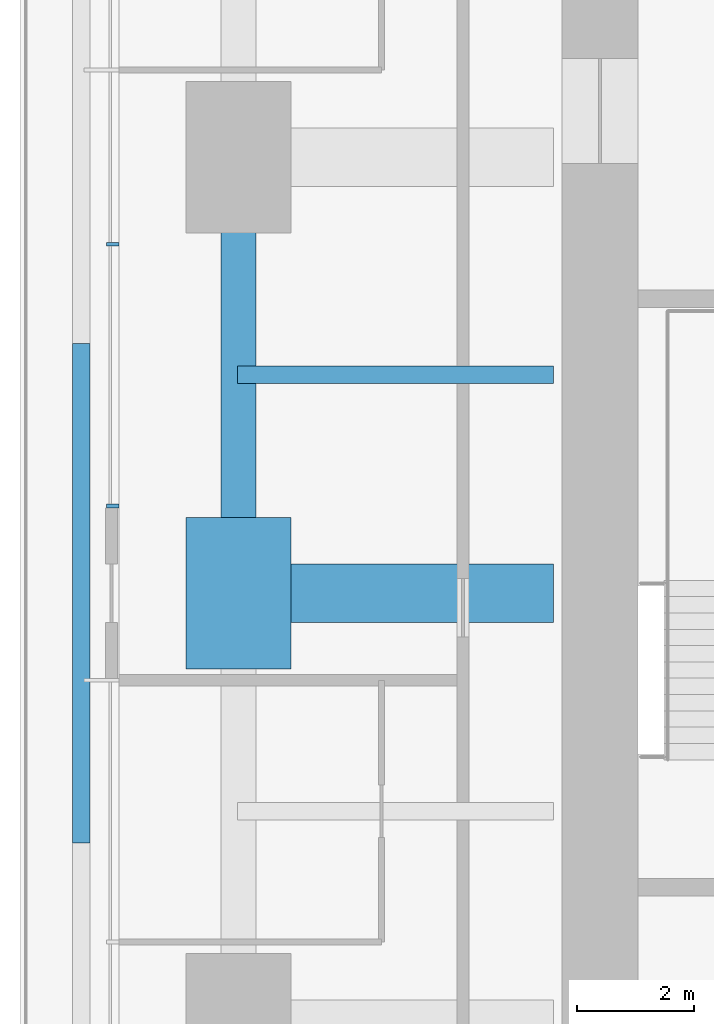
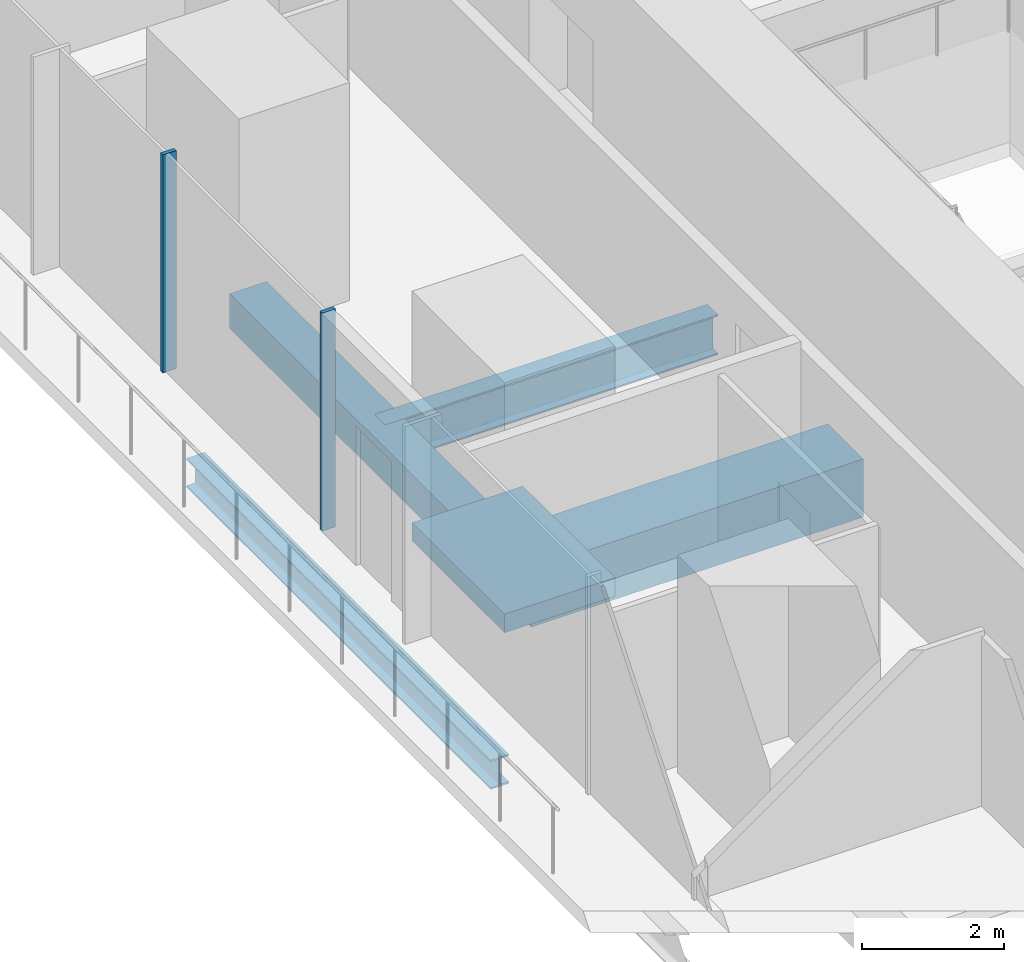
# One storey, part 3 of 15: 5 members, 2 beams, 1 element without a shape of its own.
"""IFC4 building model written with IfcOpenShell, lengths in metres."""

from ifc_helpers import new_model, si_unit, direction, frame, origin, origin_2d, place, context, subcontext, project, spatial, rectangle, hollow_rectangle, i_section, extrude, material, material_profile, profile_set, type_object, element, aggregate, save


model = new_model("IFC4")

# Units and contexts
model_context = context("Model", 3, precision=1e-05, world=origin(), true_north=direction((0.0, 1.0)))
body_context = subcontext(model_context, "Body", "Model", "MODEL_VIEW")
ifc_project = project(units=[si_unit("LENGTHUNIT", "METRE"), si_unit("AREAUNIT", "SQUARE_METRE"), si_unit("VOLUMEUNIT", "CUBIC_METRE"), si_unit("PLANEANGLEUNIT", "RADIAN"), si_unit("MASSUNIT", "GRAM", prefix="KILO")], contexts=[model_context])

# Site, building, storey
site_placement = place(None, origin())
site = spatial("IfcSite", under=ifc_project, at=site_placement, CompositionType="ELEMENT")
building_placement = place(site_placement, origin())
building = spatial("IfcBuilding", under=site, at=building_placement, Name="Khuree Lantern Residences", CompositionType="ELEMENT")
storey_placement = place(building_placement, frame((0.0, 0.0, 285.75)))
storey = spatial("IfcBuildingStorey", under=building, at=storey_placement, Name="L71", CompositionType="ELEMENT", Elevation=285.75)

# Beam
ifc_material_1 = material(Name="Steel S355", Category="steel")
ifc_material_profile_1 = material_profile(ifc_material_1, i_section(OverallWidth=0.300048828125, OverallDepth=0.68994140625, WebThickness=0.014404296875, FlangeThickness=0.027099609375, FilletRadius=0.027099609375, at=origin_2d()), Name="HE 700 A")
ifc_profile_set_1 = profile_set([ifc_material_profile_1], Name="Steel S355")
beam_type_1 = type_object("IfcBeamType", Name="B-41 SECONDARY BEAM HE 700 A", PredefinedType="BEAM", material=ifc_profile_set_1)
beam_1_placement = place(storey_placement, frame((-21.716064453125, 3.742431640625, -0.594970703125), z_axis=(1.0, 0.0, 0.0), x_axis=(0.0, 1.0, 0.0)))
element("IfcBeam", 1, at=beam_1_placement, inside=storey, type_object=beam_type_1, Name="Secondary beam W4", PredefinedType="BEAM", context=body_context, shape_type="SweptSolid", body=[
    extrude(i_section(OverallWidth=0.300048828125, OverallDepth=0.68994140625, WebThickness=0.014404296875, FlangeThickness=0.027099609375, FilletRadius=0.027099609375, at=origin_2d()), origin(), (0.0, 0.0, 1.0), 5.416015625),
])

# Member
ifc_material_profile_2 = material_profile(ifc_material_1, hollow_rectangle(XDim=0.60009765625, YDim=0.60009765625, WallThickness=0.050048828125, at=origin_2d()), Name="WELDED BOX 600X600X50")
ifc_profile_set_2 = profile_set([ifc_material_profile_2], Name="Steel S355")
member_type_1 = type_object("IfcMemberType", Name="BT-71 BELT TRUSS CHORD WELDED BOX 600X600X50", PredefinedType="CHORD", material=ifc_profile_set_2)
member_1_placement = place(storey_placement, frame((-21.699951171875, 0.0, -0.550048828125), z_axis=(0.0, 1.0, 0.0), x_axis=(-1.0, 0.0, 0.0)))
element("IfcMember", 2, at=member_1_placement, inside=storey, type_object=member_type_1, Name="Belt truss chord W4", PredefinedType="CHORD", context=body_context, shape_type="SweptSolid", body=[
    extrude(hollow_rectangle(XDim=0.60009765625, YDim=0.60009765625, WallThickness=0.050048828125, at=origin_2d()), origin(), (0.0, 0.0, 1.0), 7.47998046875),
])

# Curtain wall, members
ifc_material_2 = material(Name="Bronze anodised aluminium", Category="aluminium")
curtain_wall_type = type_object("IfcCurtainWallType", Name="CW-T1 TOWER FACE CURTAIN WALL", PredefinedType="USERDEFINED", material=ifc_material_2)
curtain_wall_placement = place(storey_placement, origin())
curtain_wall = element("IfcCurtainWall", 3, at=curtain_wall_placement, inside=storey, type_object=curtain_wall_type, Name="L71 WEST FACE CURTAIN WALL", ObjectType="Stick-built curtain wall", PredefinedType="USERDEFINED")
ifc_material_profile_3 = material_profile(ifc_material_2, rectangle(XDim=0.06494140625, YDim=0.219970703125, at=origin_2d()), Name="M1 65X220")
ifc_profile_set_3 = profile_set([ifc_material_profile_3], Name="Bronze anodised aluminium")
member_type_2 = type_object("IfcMemberType", Name="M1 BRONZE MULLION TOWER 65X220", PredefinedType="MULLION", material=ifc_profile_set_3)
member_2_placement = place(storey_placement, frame((-23.860107421875, 5.98388671875, 0.0), z_axis=(0.0, 0.0, 1.0), x_axis=(0.0, -1.0, 0.0)))
member_2 = element("IfcMember", 4, at=member_2_placement, type_object=member_type_2, Name="L71 WEST FACE MULLION 36", PredefinedType="MULLION", context=body_context, shape_type="SweptSolid", body=[
    extrude(rectangle(XDim=0.06494140625, YDim=0.219970703125, at=origin_2d()), origin(), (0.0, 0.0, 1.0), 3.75),
])
member_3_placement = place(storey_placement, frame((-23.860107421875, 1.49609375, 0.0), z_axis=(0.0, 0.0, 1.0), x_axis=(0.0, -1.0, 0.0)))
member_3 = element("IfcMember", 5, at=member_3_placement, type_object=member_type_2, Name="L71 WEST FACE MULLION 37", PredefinedType="MULLION", context=body_context, shape_type="SweptSolid", body=[
    extrude(rectangle(XDim=0.06494140625, YDim=0.219970703125, at=origin_2d()), origin(), (0.0, 0.0, 1.0), 3.75),
])
aggregate(curtain_wall, [member_2, member_3])

# Members
ifc_material_3 = material(Name="Concrete C70/85", Category="concrete")
ifc_material_profile_4 = material_profile(ifc_material_3, rectangle(XDim=2.60009765625, YDim=1.800048828125, at=origin_2d()), Name="RC 2600X1800")
ifc_profile_set_4 = profile_set([ifc_material_profile_4], Name="Concrete C70/85")
member_type_3 = type_object("IfcMemberType", Name="MNC MEGA COLUMN NODE RC 2600X1800", PredefinedType="MEMBER", material=ifc_profile_set_4)
member_4_placement = place(storey_placement, frame((-21.699951171875, 0.0, -0.550048828125), z_axis=(0.0, 0.0, 1.0), x_axis=(0.0, 1.0, 0.0)))
element("IfcMember", 6, at=member_4_placement, inside=storey, type_object=member_type_3, Name="Mega column node W3", PredefinedType="MEMBER", context=body_context, shape_type="SweptSolid", body=[
    extrude(rectangle(XDim=2.60009765625, YDim=1.800048828125, at=origin_2d()), origin(), (0.0, 0.0, 1.0), 0.320068359375),
])
ifc_material_profile_5 = material_profile(ifc_material_1, hollow_rectangle(XDim=1.0, YDim=1.0, WallThickness=0.080078125, at=origin_2d()), Name="WELDED BOX 1000X1000X80")
ifc_profile_set_5 = profile_set([ifc_material_profile_5], Name="Steel S355")
member_type_4 = type_object("IfcMemberType", Name="OT-71 OUTRIGGER TRUSS CHORD WELDED BOX 1000X1000X80", PredefinedType="CHORD", material=ifc_profile_set_5)
member_5_placement = place(storey_placement, frame((-21.699951171875, 0.0, -0.75), z_axis=(1.0, 0.0, 0.0), x_axis=(0.0, 1.0, 0.0)))
element("IfcMember", 7, at=member_5_placement, inside=storey, type_object=member_type_4, Name="Outrigger chord W3", PredefinedType="CHORD", context=body_context, shape_type="SweptSolid", body=[
    extrude(hollow_rectangle(XDim=1.0, YDim=1.0, WallThickness=0.080078125, at=origin_2d()), origin(), (0.0, 0.0, 1.0), 5.39990234375),
])

# Beam
ifc_material_profile_6 = material_profile(ifc_material_1, i_section(OverallWidth=0.300048828125, OverallDepth=0.5, WebThickness=0.014404296875, FlangeThickness=0.028076171875, FilletRadius=0.027099609375, at=origin_2d()), Name="HE 500 B")
ifc_profile_set_6 = profile_set([ifc_material_profile_6], Name="Steel S355")
beam_type_2 = type_object("IfcBeamType", Name="TB1 TERRACE EDGE BEAM HE 500 B", PredefinedType="BEAM", material=ifc_profile_set_6)
beam_2_placement = place(storey_placement, frame((-24.39990234375, -4.284912109375, -0.5), z_axis=(0.0, 1.0, 0.0), x_axis=(-1.0, 0.0, 0.0)))
element("IfcBeam", 8, at=beam_2_placement, inside=storey, type_object=beam_type_2, Name="Terrace edge beam W3", PredefinedType="BEAM", context=body_context, shape_type="SweptSolid", body=[
    extrude(i_section(OverallWidth=0.300048828125, OverallDepth=0.5, WebThickness=0.014404296875, FlangeThickness=0.028076171875, FilletRadius=0.027099609375, at=origin_2d()), origin(), (0.0, 0.0, 1.0), 8.56982421875),
])

save(model, "model.ifc")
